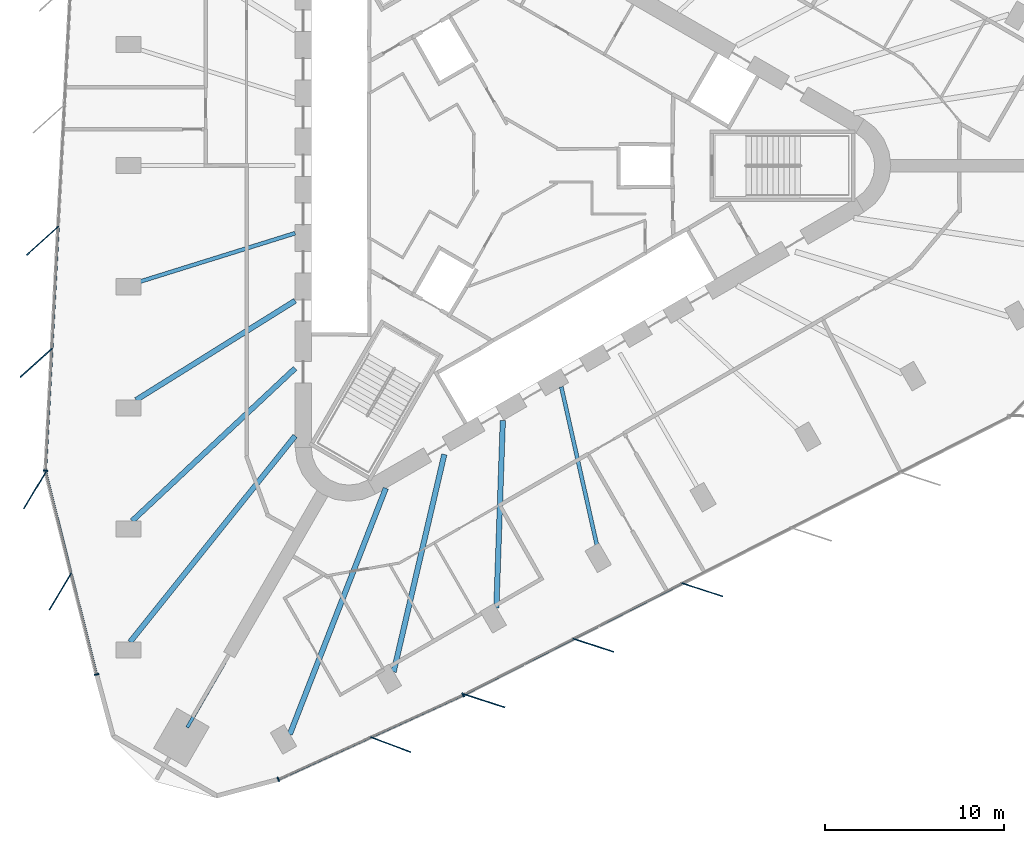
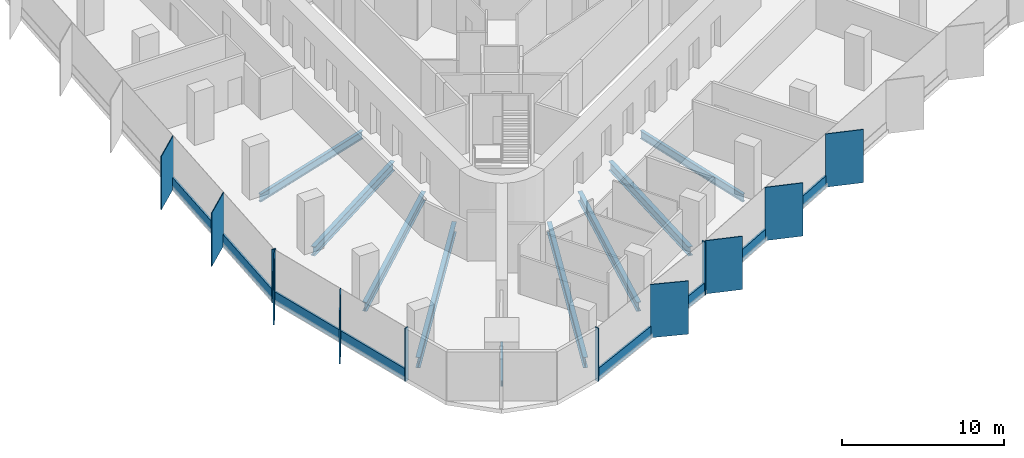
# One storey, part 2 of 14: 20 members, 9 beams, 4 elements without a shape of their own.
"""IFC4 building model written with IfcOpenShell, lengths in metres."""

import ifcopenshell
import ifcopenshell.guid

model = None  # the IFC model being written
_history = None  # IfcOwnerHistory: only IFC2X3 demands one
_inside = {}  # id of a spatial element -> (the spatial element, [elements in it])
_under = {}  # id of a project, library or spatial element -> (it, [spatial elements below it])
_declared = {}  # id of a project -> (the project, [libraries it declares])
_typed = {}  # id of a type object -> (the type object, [elements of that type])
_made_of = {}  # id of a material, layer set ... -> (it, [elements and type objects made of it])


def new_model(schema):
    """Start an empty IFC model of exactly this schema.

    Asked for "IFC4X3", IfcOpenShell would pick the latest addendum, in which some entities
    have other attributes; the version numbers below select the first issue.
    IFC2X3 requires an IfcOwnerHistory on every rooted entity: one is made here for all.
    """
    global model, _history
    if schema == "IFC4X3":
        model = ifcopenshell.file(schema_version=(4, 3, 0, 0))
    else:
        model = ifcopenshell.file(schema=schema)
    _inside.clear()
    _under.clear()
    _declared.clear()
    _typed.clear()
    _made_of.clear()
    _history = None
    if model.schema == "IFC2X3":
        org = make("IfcOrganization", Name="unknown")
        user = make(
            "IfcPersonAndOrganization",
            ThePerson=make("IfcPerson", FamilyName="unknown"),
            TheOrganization=org,
        )
        app = make(
            "IfcApplication",
            ApplicationDeveloper=org,
            Version="unknown",
            ApplicationFullName="unknown",
            ApplicationIdentifier="unknown",
        )
        _history = make(
            "IfcOwnerHistory",
            OwningUser=user,
            OwningApplication=app,
            ChangeAction="ADDED",
            CreationDate=0,
        )
    return model


def make(cls, **values):
    """One entity of the class cls with the attributes given. An attribute that is None is left unset."""
    return model.create_entity(
        cls, **{name: value for name, value in values.items() if value is not None}
    )


def rooted(cls, **values):
    """An entity with a GlobalId (a new one), such as an element, a storey or a relation."""
    return make(cls, GlobalId=ifcopenshell.guid.new(), OwnerHistory=_history, **values)


def si_unit(unit_type, name, prefix=None):
    """IfcSIUnit, for example si_unit("LENGTHUNIT", "METRE", prefix="MILLI")."""
    return make("IfcSIUnit", UnitType=unit_type, Prefix=prefix, Name=name)


def assignment(units):
    """IfcUnitAssignment: the units of a project."""
    return None if units is None else make("IfcUnitAssignment", Units=units)


def point(xyz):
    """IfcCartesianPoint."""
    return None if xyz is None else make("IfcCartesianPoint", Coordinates=xyz)


def direction(xyz):
    """IfcDirection."""
    return None if xyz is None else make("IfcDirection", DirectionRatios=xyz)


def frame(location, z_axis=None, x_axis=None):
    """IfcAxis2Placement3D, a coordinate frame: its origin and axes. An axis left out is left unset."""
    return make(
        "IfcAxis2Placement3D",
        Location=point(location),
        Axis=direction(z_axis),
        RefDirection=direction(x_axis),
    )


def frame_2d(location, x_axis=None):
    """IfcAxis2Placement2D, a coordinate frame in the plane: its origin and x axis."""
    return make(
        "IfcAxis2Placement2D", Location=point(location), RefDirection=direction(x_axis)
    )


def origin():
    """The frame at (0, 0, 0) with its axes left unset."""
    return frame((0.0, 0.0, 0.0))


def origin_2d():
    """The frame at (0, 0) in the plane with its x axis left unset."""
    return frame_2d((0.0, 0.0))


def place(relative_to, where):
    """IfcLocalPlacement: puts the frame where relative to a parent placement (None: the world)."""
    return make(
        "IfcLocalPlacement", PlacementRelTo=relative_to, RelativePlacement=where
    )


def context(
    kind, dimensions, precision=None, world=None, true_north=None, identifier=None
):
    """IfcGeometricRepresentationContext, for example the 3D "Model" context."""
    return make(
        "IfcGeometricRepresentationContext",
        ContextIdentifier=identifier,
        ContextType=kind,
        CoordinateSpaceDimension=dimensions,
        Precision=precision,
        WorldCoordinateSystem=world,
        TrueNorth=true_north,
    )


def subcontext(parent, identifier, kind, view, scale=None):
    """IfcGeometricRepresentationSubContext, for example "Body" below "Model"."""
    return make(
        "IfcGeometricRepresentationSubContext",
        ContextIdentifier=identifier,
        ContextType=kind,
        ParentContext=parent,
        TargetScale=scale,
        TargetView=view,
    )


def project(units=None, contexts=None):
    """IfcProject with its units and contexts."""
    return rooted(
        "IfcProject",
        Name="project",
        RepresentationContexts=contexts,
        UnitsInContext=assignment(units),
    )


def spatial(cls, under=None, at=None, **own):
    """A site, building, storey or space (cls), placed at a placement, below another one or the project."""
    s = rooted(cls, ObjectPlacement=at, **own)
    if under is not None:
        _under.setdefault(under.id(), (under, []))[1].append(s)
    return s


def profile(cls, at=None, kind="AREA", **sizes):
    """A parametric profile (cls). Its sizes go by their IFC names, for example OverallWidth=200.0."""
    return make(cls, ProfileType=kind, Position=at, **sizes)


def rectangle(**sizes):
    """IfcRectangleProfileDef."""
    return profile("IfcRectangleProfileDef", **sizes)


def i_section(**sizes):
    """IfcIShapeProfileDef."""
    return profile("IfcIShapeProfileDef", **sizes)


def extrude(swept, where, along, depth):
    """IfcExtrudedAreaSolid: the profile swept, set in the frame where, extruded along a direction by depth."""
    return make(
        "IfcExtrudedAreaSolid",
        SweptArea=swept,
        Position=where,
        ExtrudedDirection=direction(along),
        Depth=depth,
    )


def shape(context_of_items, identifier, shape_type, items):
    """IfcShapeRepresentation: the items that make up one representation, for example the "Body"."""
    return make(
        "IfcShapeRepresentation",
        ContextOfItems=context_of_items,
        RepresentationIdentifier=identifier,
        RepresentationType=shape_type,
        Items=items,
    )


def material(Name=None, Category=None):
    """IfcMaterial."""
    return make("IfcMaterial", Name=Name, Category=Category)


def material_profile(
    of_material, cross_section, Name=None, Category=None, Priority=None
):
    """IfcMaterialProfile: a cross section and its material."""
    return make(
        "IfcMaterialProfile",
        Name=Name,
        Material=of_material,
        Profile=cross_section,
        Priority=Priority,
        Category=Category,
    )


def profile_set(profiles, Name=None, composite=None):
    """IfcMaterialProfileSet."""
    return make(
        "IfcMaterialProfileSet",
        Name=Name,
        MaterialProfiles=profiles,
        CompositeProfile=composite,
    )


def made_of(thing, what):
    """Note that an element or type object is made of a material, layer set ...; save() writes the relation."""
    if what is not None:
        _made_of.setdefault(what.id(), (what, []))[1].append(thing)
    return thing


def type_object(cls, material=None, **own):
    """A type object (cls), such as IfcWallType, which elements share."""
    return made_of(rooted(cls, **own), material)


def element(
    cls,
    number,
    at=None,
    inside=None,
    cuts=None,
    type_object=None,
    material=None,
    context=None,
    identifier="Body",
    shape_type=None,
    held_by="IfcProductDefinitionShape",
    body=None,
    shapes=None,
    **own,
):
    """One element of the class cls, such as IfcWall. Its Tag is "e" and its number.

    at: its placement. inside: the storey or other place that contains it. cuts: it is an
    opening in that element (IfcRelVoidsElement). A single representation is given by context,
    identifier, shape_type and body (its items); several are given by shapes. held_by: the class
    of the entity that holds the representations. save() writes the other relations.
    """
    e = rooted(cls, Tag="e%d" % number, ObjectPlacement=at, **own)
    if body is not None:
        shapes = [shape(context, identifier, shape_type, body)]
    if shapes is not None:
        e.Representation = make(held_by, Representations=shapes)
    if inside is not None:
        _inside.setdefault(inside.id(), (inside, []))[1].append(e)
    if cuts is not None:
        rooted(
            "IfcRelVoidsElement", RelatingBuildingElement=cuts, RelatedOpeningElement=e
        )
    if type_object is not None:
        _typed.setdefault(type_object.id(), (type_object, []))[1].append(e)
    return made_of(e, material)


def aggregate(whole, parts):
    """IfcRelAggregates: a whole, such as a stair, and the parts it consists of."""
    return rooted("IfcRelAggregates", RelatingObject=whole, RelatedObjects=parts)


def save(model, path):
    """Write the relations noted so far, then the file.

    IfcRelAggregates (storeys below a building ...), IfcRelContainedInSpatialStructure (elements
    in a storey), IfcRelDefinesByType, IfcRelAssociatesMaterial and IfcRelDeclares: one each for
    every whole, place, type object, material and project.
    """
    for whole, parts in _under.values():
        aggregate(whole, parts)
    for where, things in _inside.values():
        rooted(
            "IfcRelContainedInSpatialStructure",
            RelatedElements=things,
            RelatingStructure=where,
        )
    for kind, things in _typed.values():
        rooted("IfcRelDefinesByType", RelatedObjects=things, RelatingType=kind)
    for what, things in _made_of.values():
        rooted("IfcRelAssociatesMaterial", RelatedObjects=things, RelatingMaterial=what)
    for by, libraries in _declared.values():
        rooted("IfcRelDeclares", RelatingContext=by, RelatedDefinitions=libraries)
    model.write(path)


model = new_model("IFC4")

# Units and contexts
model_context = context("Model", 3, precision=1e-05, world=origin(), true_north=direction((0.0, 1.0)))
body_context = subcontext(model_context, "Body", "Model", "MODEL_VIEW")
ifc_project = project(units=[si_unit("LENGTHUNIT", "METRE"), si_unit("AREAUNIT", "SQUARE_METRE"), si_unit("VOLUMEUNIT", "CUBIC_METRE"), si_unit("PLANEANGLEUNIT", "RADIAN"), si_unit("MASSUNIT", "GRAM", prefix="KILO")], contexts=[model_context])

# Site, building, storey
site_placement = place(None, origin())
site = spatial("IfcSite", under=ifc_project, at=site_placement, CompositionType="ELEMENT")
building_placement = place(site_placement, origin())
building = spatial("IfcBuilding", under=site, at=building_placement, Name="Tanit Gate Tower", CompositionType="ELEMENT")
storey_placement = place(building_placement, frame((0.0, 0.0, 253.199951171875)))
storey = spatial("IfcBuildingStorey", under=building, at=storey_placement, Name="L57", CompositionType="ELEMENT", Elevation=253.199951171875)

# Curtain wall, members
ifc_material_1 = material(Name="Aluminium bronze anodised and glass", Category="aluminium")
curtain_wall_type = type_object("IfcCurtainWallType", Name="Curtain wall typical mid", PredefinedType="NOTDEFINED", material=ifc_material_1)
curtain_wall_1_placement = place(storey_placement, origin())
curtain_wall_1 = element("IfcCurtainWall", 1, at=curtain_wall_1_placement, inside=storey, type_object=curtain_wall_type, Name="Curtain wall L57 W2", PredefinedType="NOTDEFINED")
ifc_material_2 = material(Name="Aluminium bronze anodised", Category="aluminium")
ifc_material_profile_1 = material_profile(ifc_material_2, rectangle(XDim=2.39990234375, YDim=0.055908203125, at=origin_2d()), Name="56x2400 bronze fin mullion")
ifc_profile_set_1 = profile_set([ifc_material_profile_1], Name="Aluminium bronze anodised")
member_type_1 = type_object("IfcMemberType", Name="FIN MULLION 56x2400 bronze", PredefinedType="MULLION", material=ifc_profile_set_1)
member_1_placement = place(storey_placement, frame((-26.218994140625, -4.199462890625, -0.300048828125), z_axis=(0.0, 0.0, 1.0), x_axis=(0.742829073656, 0.66948111798, 0.0)))
member_1 = element("IfcMember", 2, at=member_1_placement, type_object=member_type_1, Name="Fin mullion L57 W2.4", PredefinedType="MULLION", context=body_context, shape_type="SweptSolid", body=[
    extrude(rectangle(XDim=2.39990234375, YDim=0.055908203125, at=origin_2d()), origin(), (0.0, 0.0, 1.0), 4.0),
])
member_2_placement = place(storey_placement, frame((-26.573486328125, -11.022705078125, -0.300048828125), z_axis=(0.0, 0.0, 1.0), x_axis=(0.742829073656, 0.66948111798, 0.0)))
member_2 = element("IfcMember", 3, at=member_2_placement, type_object=member_type_1, Name="Fin mullion L57 W2.5", PredefinedType="MULLION", context=body_context, shape_type="SweptSolid", body=[
    extrude(rectangle(XDim=2.39990234375, YDim=0.055908203125, at=origin_2d()), origin(), (0.0, 0.0, 1.0), 4.0),
])

curtain_wall_2_placement = place(storey_placement, origin())
curtain_wall_2 = element("IfcCurtainWall", 4, at=curtain_wall_2_placement, inside=storey, type_object=curtain_wall_type, Name="Curtain wall L57 W3", PredefinedType="NOTDEFINED")
member_3_placement = place(storey_placement, frame((-26.649658203125, -18.147216796875, -0.300048828125), z_axis=(0.0, 0.0, 1.0), x_axis=(0.513349374266, 0.858179713079, 0.0)))
member_3 = element("IfcMember", 5, at=member_3_placement, type_object=member_type_1, Name="Fin mullion L57 W3.1", PredefinedType="MULLION", context=body_context, shape_type="SweptSolid", body=[
    extrude(rectangle(XDim=2.39990234375, YDim=0.055908203125, at=origin_2d()), origin(), (0.0, 0.0, 1.0), 4.0),
])
member_4_placement = place(storey_placement, frame((-25.227783203125, -23.802001953125, -0.300048828125), z_axis=(0.0, 0.0, 1.0), x_axis=(0.513349374266, 0.858179713079, 0.0)))
member_4 = element("IfcMember", 6, at=member_4_placement, type_object=member_type_1, Name="Fin mullion L57 W3.2", PredefinedType="MULLION", context=body_context, shape_type="SweptSolid", body=[
    extrude(rectangle(XDim=2.39990234375, YDim=0.055908203125, at=origin_2d()), origin(), (0.0, 0.0, 1.0), 4.0),
])

# Curtain wall, member
curtain_wall_3_placement = place(storey_placement, origin())
curtain_wall_3 = element("IfcCurtainWall", 7, at=curtain_wall_3_placement, inside=storey, type_object=curtain_wall_type, Name="Curtain wall L57 SE1", PredefinedType="NOTDEFINED")
member_5_placement = place(storey_placement, frame((-6.77099609375, -32.364013671875, -0.300048828125), z_axis=(0.0, 0.0, 1.0), x_axis=(-0.936905482973, 0.34958277414, 0.0)))
member_5 = element("IfcMember", 8, at=member_5_placement, type_object=member_type_1, Name="Fin mullion L57 SE1.2", PredefinedType="MULLION", context=body_context, shape_type="SweptSolid", body=[
    extrude(rectangle(XDim=2.39990234375, YDim=0.055908203125, at=origin_2d()), origin(), (0.0, 0.0, 1.0), 4.0),
])

# Curtain wall, members
curtain_wall_4_placement = place(storey_placement, origin())
curtain_wall_4 = element("IfcCurtainWall", 9, at=curtain_wall_4_placement, inside=storey, type_object=curtain_wall_type, Name="Curtain wall L57 SE2", PredefinedType="NOTDEFINED")
member_6_placement = place(storey_placement, frame((-1.5126953125, -29.9208984375, -0.300048828125), z_axis=(0.0, 0.0, 1.0), x_axis=(-0.951202192353, 0.308568289465, 0.0)))
member_6 = element("IfcMember", 10, at=member_6_placement, type_object=member_type_1, Name="Fin mullion L57 SE2.1", PredefinedType="MULLION", context=body_context, shape_type="SweptSolid", body=[
    extrude(rectangle(XDim=2.39990234375, YDim=0.055908203125, at=origin_2d()), origin(), (0.0, 0.0, 1.0), 4.0),
])
member_7_placement = place(storey_placement, frame((4.573486328125, -26.816162109375, -0.300048828125), z_axis=(0.0, 0.0, 1.0), x_axis=(-0.951202192353, 0.308568289465, 0.0)))
member_7 = element("IfcMember", 11, at=member_7_placement, type_object=member_type_1, Name="Fin mullion L57 SE2.2", PredefinedType="MULLION", context=body_context, shape_type="SweptSolid", body=[
    extrude(rectangle(XDim=2.39990234375, YDim=0.055908203125, at=origin_2d()), origin(), (0.0, 0.0, 1.0), 4.0),
])
member_8_placement = place(storey_placement, frame((10.659912109375, -23.71142578125, -0.300048828125), z_axis=(0.0, 0.0, 1.0), x_axis=(-0.951202192353, 0.308568289465, 0.0)))
member_8 = element("IfcMember", 12, at=member_8_placement, type_object=member_type_1, Name="Fin mullion L57 SE2.3", PredefinedType="MULLION", context=body_context, shape_type="SweptSolid", body=[
    extrude(rectangle(XDim=2.39990234375, YDim=0.055908203125, at=origin_2d()), origin(), (0.0, 0.0, 1.0), 4.0),
])

# Member
ifc_material_3 = material(Name="Aluminium bronze anodised", Category="aluminium")
ifc_material_profile_2 = material_profile(ifc_material_3, rectangle(XDim=0.260009765625, YDim=0.080078125, at=origin_2d()), Name="80x260 bronze mullion")
ifc_profile_set_2 = profile_set([ifc_material_profile_2], Name="Aluminium bronze anodised")
member_type_2 = type_object("IfcMemberType", Name="Mullion 80x260 typical mid", PredefinedType="MULLION", material=ifc_profile_set_2)
member_9_placement = place(storey_placement, frame((-26.052001953125, -17.056884765625, -0.300048828125), z_axis=(0.0, 0.0, 1.0), x_axis=(0.998654113645, -0.051864836844, 0.0)))
member_9 = element("IfcMember", 13, at=member_9_placement, type_object=member_type_2, Name="Mullion L57 W2.6", PredefinedType="MULLION", context=body_context, shape_type="SweptSolid", body=[
    extrude(rectangle(XDim=0.260009765625, YDim=0.080078125, at=origin_2d()), origin(), (0.0, 0.0, 1.0), 4.0),
])

member_10_placement = place(storey_placement, frame((-23.200927734375, -28.4453125, -0.300048828125), z_axis=(0.0, 0.0, 1.0), x_axis=(0.969817518256, 0.243831870934, 0.0)))
member_10 = element("IfcMember", 14, at=member_10_placement, type_object=member_type_2, Name="Mullion L57 W3.3", PredefinedType="MULLION", context=body_context, shape_type="SweptSolid", body=[
    extrude(rectangle(XDim=0.260009765625, YDim=0.080078125, at=origin_2d()), origin(), (0.0, 0.0, 1.0), 4.0),
])

member_11_placement = place(storey_placement, frame((-13.044677734375, -34.31201171875, -0.300048828125), z_axis=(0.0, 0.0, 1.0), x_axis=(-0.41529987016, 0.909684570522, 0.0)))
member_11 = element("IfcMember", 15, at=member_11_placement, type_object=member_type_2, Name="Mullion L57 SE1.1", PredefinedType="MULLION", context=body_context, shape_type="SweptSolid", body=[
    extrude(rectangle(XDim=0.260009765625, YDim=0.080078125, at=origin_2d()), origin(), (0.0, 0.0, 1.0), 4.0),
])

member_12_placement = place(storey_placement, frame((-2.7060546875, -29.592041015625, -0.300048828125), z_axis=(0.0, 0.0, 1.0), x_axis=(-0.41529987016, 0.909684570522, 0.0)))
member_12 = element("IfcMember", 16, at=member_12_placement, type_object=member_type_2, Name="Mullion L57 SE1.3", PredefinedType="MULLION", context=body_context, shape_type="SweptSolid", body=[
    extrude(rectangle(XDim=0.260009765625, YDim=0.080078125, at=origin_2d()), origin(), (0.0, 0.0, 1.0), 4.0),
])

# Beams
ifc_material_4 = material(Name="Steel S355", Category="steel")
ifc_material_profile_3 = material_profile(ifc_material_4, i_section(OverallWidth=0.300048828125, OverallDepth=0.68994140625, WebThickness=0.014404296875, FlangeThickness=0.027099609375, FilletRadius=0.027099609375, at=origin_2d()), Name="HEA 700")
ifc_profile_set_3 = profile_set([ifc_material_profile_3], Name="Steel S355")
beam_type_1 = type_object("IfcBeamType", Name="RADIAL GIRDER HEA 700 S355", PredefinedType="BEAM", material=ifc_profile_set_3)
beam_1_placement = place(storey_placement, frame((-20.993408203125, -13.10498046875, -0.64501953125), z_axis=(0.848289986152, 0.52953196258, 0.0), x_axis=(-0.52953196258, 0.848289986152, 0.0)))
element("IfcBeam", 17, at=beam_1_placement, inside=storey, type_object=beam_type_1, Name="RADIAL GIRDER", PredefinedType="BEAM", context=body_context, shape_type="SweptSolid", body=[
    extrude(i_section(OverallWidth=0.300048828125, OverallDepth=0.68994140625, WebThickness=0.014404296875, FlangeThickness=0.027099609375, FilletRadius=0.027099609375, at=origin_2d()), origin(), (0.0, 0.0, 1.0), 10.4814453125),
])
beam_2_placement = place(storey_placement, frame((-21.212646484375, -19.86279296875, -0.64501953125), z_axis=(0.729943944241, 0.683507014058, 0.0), x_axis=(-0.683507014058, 0.729943944241, 0.0)))
element("IfcBeam", 18, at=beam_2_placement, inside=storey, type_object=beam_type_1, Name="RADIAL GIRDER", PredefinedType="BEAM", context=body_context, shape_type="SweptSolid", body=[
    extrude(i_section(OverallWidth=0.300048828125, OverallDepth=0.68994140625, WebThickness=0.014404296875, FlangeThickness=0.027099609375, FilletRadius=0.027099609375, at=origin_2d()), origin(), (0.0, 0.0, 1.0), 12.481201171875),
])
beam_3_placement = place(storey_placement, frame((-6.595458984375, -28.30224609375, -0.64501953125), z_axis=(0.226957535876, 0.973904654938, 0.0), x_axis=(-0.973904654938, 0.226957535876, 0.0)))
element("IfcBeam", 19, at=beam_3_placement, inside=storey, type_object=beam_type_1, Name="RADIAL GIRDER", PredefinedType="BEAM", context=body_context, shape_type="SweptSolid", body=[
    extrude(i_section(OverallWidth=0.300048828125, OverallDepth=0.68994140625, WebThickness=0.014404296875, FlangeThickness=0.027099609375, FilletRadius=0.027099609375, at=origin_2d()), origin(), (0.0, 0.0, 1.0), 12.4814453125),
])
beam_4_placement = place(storey_placement, frame((-0.8525390625, -24.733154296875, -0.64501953125), z_axis=(0.034449440127, 0.999406441882, 0.0), x_axis=(-0.999406441882, 0.034449440127, 0.0)))
element("IfcBeam", 20, at=beam_4_placement, inside=storey, type_object=beam_type_1, Name="RADIAL GIRDER", PredefinedType="BEAM", context=body_context, shape_type="SweptSolid", body=[
    extrude(i_section(OverallWidth=0.300048828125, OverallDepth=0.68994140625, WebThickness=0.014404296875, FlangeThickness=0.027099609375, FilletRadius=0.027099609375, at=origin_2d()), origin(), (0.0, 0.0, 1.0), 10.4814453125),
])
ifc_material_5 = material(Name="Steel S355", Category="steel")
ifc_material_profile_4 = material_profile(ifc_material_5, i_section(OverallWidth=0.300048828125, OverallDepth=0.7900390625, WebThickness=0.014892578125, FlangeThickness=0.028076171875, FilletRadius=0.030029296875, at=origin_2d()), Name="HEA 800")
ifc_profile_set_4 = profile_set([ifc_material_profile_4], Name="Steel S355")
beam_type_2 = type_object("IfcBeamType", Name="RADIAL GIRDER HEA 800 S355", PredefinedType="BEAM", material=ifc_profile_set_4)
for number, where, z_axis, x_axis, name in (
    (21, (-21.3330078125, -26.6337890625, -0.695068359375), (0.625158701972, 0.780497660053, 0.0), (-0.780497660053, 0.625158701972, 0.0), "RADIAL GIRDER"),
    (22, (-12.399169921875, -31.791748046875, -0.695068359375), (0.363354891864, 0.931650805054, 0.0), (-0.931650805054, 0.363354891864, 0.0), "RADIAL GIRDER"),
):
    element("IfcBeam", number, at=place(storey_placement, frame(where, z_axis=z_axis, x_axis=x_axis)), inside=storey, type_object=beam_type_2, Name=name, PredefinedType="BEAM", context=body_context, shape_type="SweptSolid", body=[
        extrude(i_section(OverallWidth=0.300048828125, OverallDepth=0.7900390625, WebThickness=0.014892578125, FlangeThickness=0.028076171875, FilletRadius=0.030029296875, at=origin_2d()), origin(), (0.0, 0.0, 1.0), 14.765869140625),
    ])
ifc_material_6 = material(Name="Steel S355", Category="steel")
ifc_material_profile_5 = material_profile(ifc_material_6, i_section(OverallWidth=0.179931640625, OverallDepth=0.39990234375, WebThickness=0.008544921875, FlangeThickness=0.013427734375, FilletRadius=0.02099609375, at=origin_2d()), Name="IPE 400")
ifc_profile_set_5 = profile_set([ifc_material_profile_5], Name="Steel S355")
beam_type_3 = type_object("IfcBeamType", Name="RADIAL GIRDER IPE 400 S355", PredefinedType="BEAM", material=ifc_profile_set_5)
beam_5_placement = place(storey_placement, frame((-18.135009765625, -31.41064453125, -0.5), z_axis=(0.500009597358, 0.866019862676, 0.0), x_axis=(-0.866019862676, 0.500009597358, 0.0)))
element("IfcBeam", 23, at=beam_5_placement, inside=storey, type_object=beam_type_3, Name="RADIAL GIRDER", PredefinedType="BEAM", context=body_context, shape_type="SweptSolid", body=[
    extrude(i_section(OverallWidth=0.179931640625, OverallDepth=0.39990234375, WebThickness=0.008544921875, FlangeThickness=0.013427734375, FilletRadius=0.02099609375, at=origin_2d()), origin(), (0.0, 0.0, 1.0), 4.2197265625),
])
ifc_material_7 = material(Name="Steel S355", Category="steel")
ifc_material_profile_6 = material_profile(ifc_material_7, i_section(OverallWidth=0.219970703125, OverallDepth=0.60009765625, WebThickness=0.011962890625, FlangeThickness=0.01904296875, FilletRadius=0.02392578125, at=origin_2d()), Name="IPE 600")
ifc_profile_set_6 = profile_set([ifc_material_profile_6], Name="Steel S355")
beam_type_4 = type_object("IfcBeamType", Name="RADIAL GIRDER IPE 600 S355", PredefinedType="BEAM", material=ifc_profile_set_6)
beam_6_placement = place(storey_placement, frame((-20.993408203125, -6.552490234375, -0.599853515625), z_axis=(0.954583925113, 0.297942158674, 0.0), x_axis=(-0.297942158674, 0.954583925113, 0.0)))
element("IfcBeam", 24, at=beam_6_placement, inside=storey, type_object=beam_type_4, Name="RADIAL GIRDER", PredefinedType="BEAM", context=body_context, shape_type="SweptSolid", body=[
    extrude(i_section(OverallWidth=0.219970703125, OverallDepth=0.60009765625, WebThickness=0.011962890625, FlangeThickness=0.01904296875, FilletRadius=0.02392578125, at=origin_2d()), origin(), (0.0, 0.0, 1.0), 9.314453125),
])
beam_7_placement = place(storey_placement, frame((4.822021484375, -21.456787109375, -0.599853515625), z_axis=(-0.219263945234, 0.975665579141, 0.0), x_axis=(-0.975665579141, -0.219263945234, 0.0)))
element("IfcBeam", 25, at=beam_7_placement, inside=storey, type_object=beam_type_4, Name="RADIAL GIRDER", PredefinedType="BEAM", context=body_context, shape_type="SweptSolid", body=[
    extrude(i_section(OverallWidth=0.219970703125, OverallDepth=0.60009765625, WebThickness=0.011962890625, FlangeThickness=0.01904296875, FilletRadius=0.02392578125, at=origin_2d()), origin(), (0.0, 0.0, 1.0), 9.31396484375),
])

# Member
ifc_material_8 = material(Name="Aluminium bronze anodised", Category="aluminium")
ifc_material_profile_7 = material_profile(ifc_material_8, rectangle(XDim=0.139892578125, YDim=0.89990234375, at=origin_2d()), Name="140x900 bronze transom")
ifc_profile_set_7 = profile_set([ifc_material_profile_7], Name="Aluminium bronze anodised")
member_type_3 = type_object("IfcMemberType", Name="Transom 140x900 typical mid", PredefinedType="USERDEFINED", material=ifc_profile_set_7)
member_13_placement = place(storey_placement, frame((-25.345458984375, -3.4501953125, 0.150146484375), z_axis=(-0.051847192816, -0.998655029826, 0.0), x_axis=(0.998655029826, -0.051847192816, 0.0)))
member_13 = element("IfcMember", 26, at=member_13_placement, type_object=member_type_3, Name="Transom L57 W2.4", ObjectType="TRANSOM", PredefinedType="USERDEFINED", context=body_context, shape_type="SweptSolid", body=[
    extrude(rectangle(XDim=0.139892578125, YDim=0.89990234375, at=origin_2d()), origin(), (0.0, 0.0, 1.0), 6.75244140625),
])

member_14_placement = place(storey_placement, frame((-25.69970703125, -10.2734375, 0.150146484375), z_axis=(-0.051883251167, -0.998653157131, 0.0), x_axis=(0.998653157131, -0.051883251167, 0.0)))
member_14 = element("IfcMember", 27, at=member_14_placement, type_object=member_type_3, Name="Transom L57 W2.5", ObjectType="TRANSOM", PredefinedType="USERDEFINED", context=body_context, shape_type="SweptSolid", body=[
    extrude(rectangle(XDim=0.139892578125, YDim=0.89990234375, at=origin_2d()), origin(), (0.0, 0.0, 1.0), 6.75244140625),
])

aggregate(curtain_wall_1, [member_1, member_2, member_9, member_13, member_14])

member_15_placement = place(storey_placement, frame((-26.03466796875, -17.17431640625, 0.150146484375), z_axis=(0.243814032704, -0.969822002976, 0.0), x_axis=(0.969822002976, 0.243814032704, 0.0)))
member_15 = element("IfcMember", 28, at=member_15_placement, type_object=member_type_3, Name="Transom L57 W3.1", ObjectType="TRANSOM", PredefinedType="USERDEFINED", context=body_context, shape_type="SweptSolid", body=[
    extrude(rectangle(XDim=0.139892578125, YDim=0.89990234375, at=origin_2d()), origin(), (0.0, 0.0, 1.0), 5.750732421875),
])

member_16_placement = place(storey_placement, frame((-24.613037109375, -22.8291015625, 0.150146484375), z_axis=(0.243843922933, -0.969814488059, 0.0), x_axis=(0.969814488059, 0.243843922933, 0.0)))
member_16 = element("IfcMember", 29, at=member_16_placement, type_object=member_type_3, Name="Transom L57 W3.2", ObjectType="TRANSOM", PredefinedType="USERDEFINED", context=body_context, shape_type="SweptSolid", body=[
    extrude(rectangle(XDim=0.139892578125, YDim=0.89990234375, at=origin_2d()), origin(), (0.0, 0.0, 1.0), 5.7509765625),
])

aggregate(curtain_wall_2, [member_3, member_4, member_10, member_15, member_16])

member_17_placement = place(storey_placement, frame((-13.00830078125, -34.29541015625, 0.150146484375), z_axis=(0.909669750751, 0.415332330271, 0.0), x_axis=(-0.415332330271, 0.909669750751, 0.0)))
member_17 = element("IfcMember", 30, at=member_17_placement, type_object=member_type_3, Name="Transom L57 SE1.1", ObjectType="TRANSOM", PredefinedType="USERDEFINED", context=body_context, shape_type="SweptSolid", body=[
    extrude(rectangle(XDim=0.139892578125, YDim=0.89990234375, at=origin_2d()), origin(), (0.0, 0.0, 1.0), 5.6025390625),
])

member_18_placement = place(storey_placement, frame((-7.839111328125, -31.935302734375, 0.150146484375), z_axis=(0.909693729844, 0.415279806736, 0.0), x_axis=(-0.415279806736, 0.909693729844, 0.0)))
member_18 = element("IfcMember", 31, at=member_18_placement, type_object=member_type_3, Name="Transom L57 SE1.2", ObjectType="TRANSOM", PredefinedType="USERDEFINED", context=body_context, shape_type="SweptSolid", body=[
    extrude(rectangle(XDim=0.139892578125, YDim=0.89990234375, at=origin_2d()), origin(), (0.0, 0.0, 1.0), 5.6025390625),
])

aggregate(curtain_wall_3, [member_11, member_5, member_12, member_17, member_18])

member_19_placement = place(storey_placement, frame((-2.598388671875, -29.5390625, 0.150146484375), z_axis=(0.890797114377, 0.45440125552, 0.0), x_axis=(-0.45440125552, 0.890797114377, 0.0)))
member_19 = element("IfcMember", 32, at=member_19_placement, type_object=member_type_3, Name="Transom L57 SE2.1", ObjectType="TRANSOM", PredefinedType="USERDEFINED", context=body_context, shape_type="SweptSolid", body=[
    extrude(rectangle(XDim=0.139892578125, YDim=0.89990234375, at=origin_2d()), origin(), (0.0, 0.0, 1.0), 6.75244140625),
])

member_20_placement = place(storey_placement, frame((3.488037109375, -26.434326171875, 0.150146484375), z_axis=(0.890789648628, 0.454415890894, 0.0), x_axis=(-0.454415890894, 0.890789648628, 0.0)))
member_20 = element("IfcMember", 33, at=member_20_placement, type_object=member_type_3, Name="Transom L57 SE2.2", ObjectType="TRANSOM", PredefinedType="USERDEFINED", context=body_context, shape_type="SweptSolid", body=[
    extrude(rectangle(XDim=0.139892578125, YDim=0.89990234375, at=origin_2d()), origin(), (0.0, 0.0, 1.0), 6.752197265625),
])

aggregate(curtain_wall_4, [member_6, member_7, member_8, member_19, member_20])

save(model, "model.ifc")
